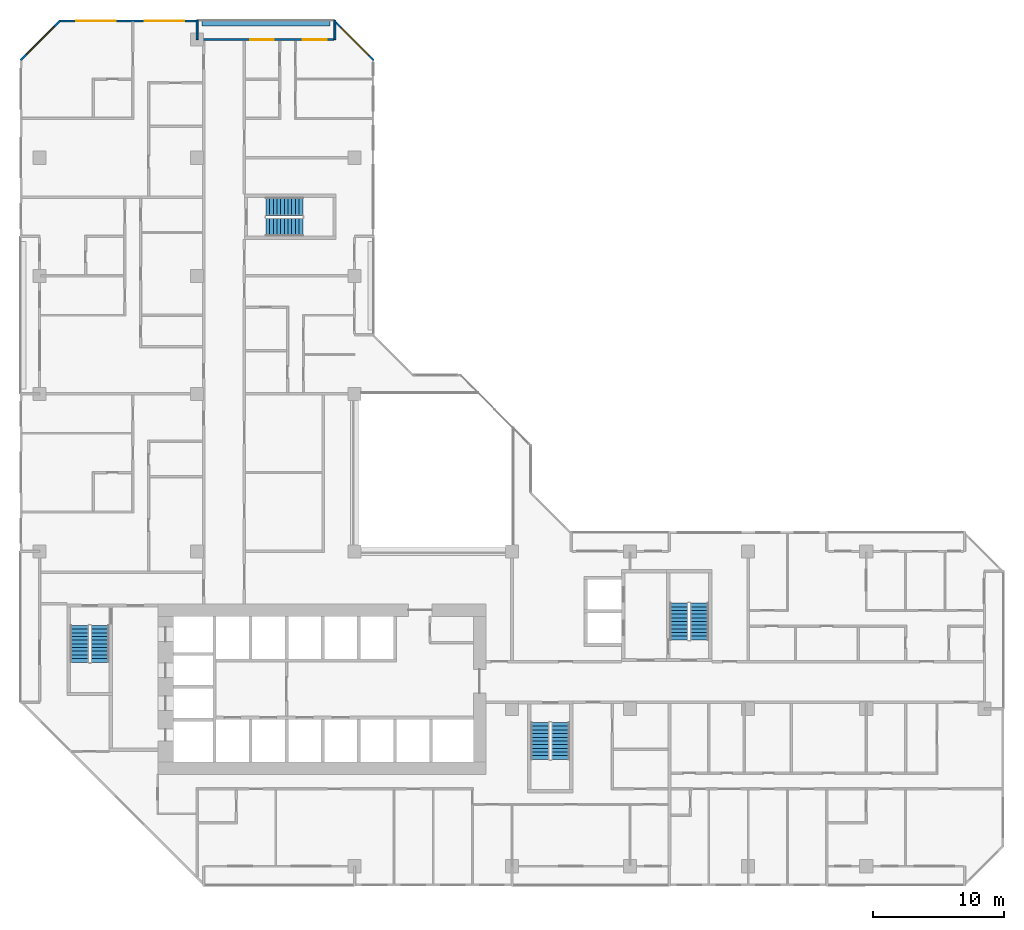
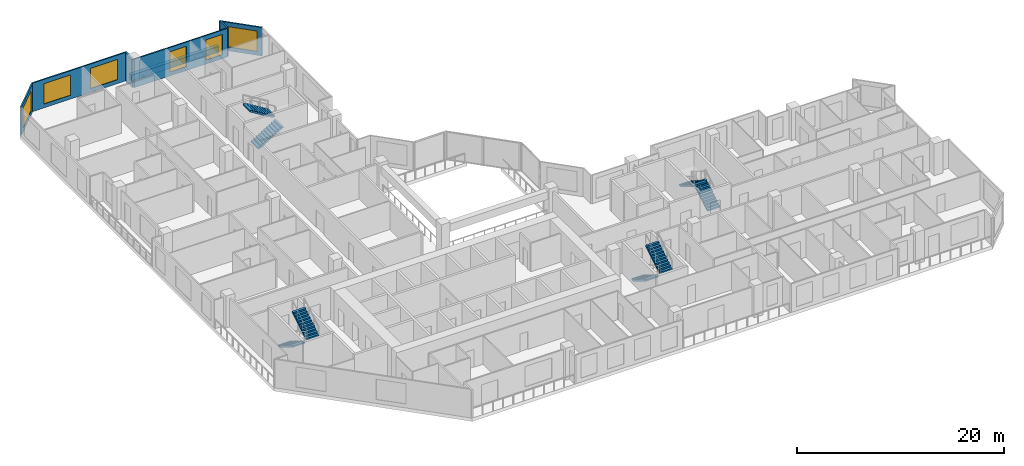
# One storey, part 13 of 15: 8 stair flights, 7 walls, 6 windows, 6 openings, 4 elements without a shape of their own.
"""IFC4 building model written with IfcOpenShell, lengths in metres."""

from ifc_helpers import new_model, si_unit, direction, frame, frame_2d, origin, place, context, subcontext, project, spatial, polyline, rectangle, outline, extrude, material, layer, layer_set, type_object, element, fill, aggregate, save


model = new_model("IFC4")

# Units and contexts
model_context = context("Model", 3, precision=1e-05, world=origin(), true_north=direction((0.0, 1.0)))
body_context = subcontext(model_context, "Body", "Model", "MODEL_VIEW")
ifc_project = project(units=[si_unit("LENGTHUNIT", "METRE"), si_unit("AREAUNIT", "SQUARE_METRE"), si_unit("VOLUMEUNIT", "CUBIC_METRE"), si_unit("PLANEANGLEUNIT", "RADIAN"), si_unit("MASSUNIT", "GRAM", prefix="KILO")], contexts=[model_context])

# Site, building, storey
site_placement = place(None, origin())
site = spatial("IfcSite", under=ifc_project, at=site_placement, CompositionType="ELEMENT")
building_placement = place(site_placement, origin())
building = spatial("IfcBuilding", under=site, at=building_placement, Name="Chenar Terraces", CompositionType="ELEMENT")
storey_placement = place(building_placement, frame((0.0, 0.0, 133.14990234375)))
storey = spatial("IfcBuildingStorey", under=building, at=storey_placement, Name="L31", CompositionType="ELEMENT", Elevation=133.14990234375)

# Wall, openings, windows
ifc_material_1 = material(Name="Aluminium framed glazing", Category="aluminium")
ifc_layer_1 = layer(ifc_material_1, 0.14990234375)
ifc_layer_set_1 = layer_set([ifc_layer_1], Name="Aluminium framed glazing")
wall_type_1 = type_object("IfcWallType", Name="Glazed flush facade wall 150", PredefinedType="SOLIDWALL", material=ifc_layer_set_1)
wall_1_placement = place(storey_placement, frame((11.925048828125, 64.425048828125, 0.0), z_axis=(0.0, 0.0, 1.0), x_axis=(-1.0, 0.0, 0.0)))
wall_1 = element("IfcWall", 1, at=wall_1_placement, inside=storey, type_object=wall_type_1, Name="Glazed flush facade wall", PredefinedType="SOLIDWALL", context=body_context, shape_type="SweptSolid", body=[
    extrude(rectangle(XDim=10.425048828125, YDim=0.14990234375, at=frame_2d((5.21240234375, 0.0))), origin(), (0.0, 0.0, 1.0), 3.35009765625),
])
opening_1_placement = place(wall_1_placement, frame((0.91259765625, 0.0, 0.449951171875)))
opening_1 = element("IfcOpeningElement", 2, at=opening_1_placement, cuts=wall_1, Name="Opening W300x240", PredefinedType="OPENING", context=body_context, shape_type="SweptSolid", body=[
    extrude(rectangle(XDim=3.0, YDim=2.39990234375, at=frame_2d((1.5, 1.199951171875))), frame((0.0, 0.0849609375, 0.0), z_axis=(0.0, -1.0, 0.0), x_axis=(1.0, 0.0, 0.0)), (0.0, 0.0, 1.0), 0.169921875),
])
opening_2_placement = place(wall_1_placement, frame((6.125, 0.0, 0.449951171875)))
opening_2 = element("IfcOpeningElement", 3, at=opening_2_placement, cuts=wall_1, Name="Opening W300x240", PredefinedType="OPENING", context=body_context, shape_type="SweptSolid", body=[
    extrude(rectangle(XDim=3.0, YDim=2.39990234375, at=frame_2d((1.5, 1.199951171875))), frame((0.0, 0.0849609375, 0.0), z_axis=(0.0, -1.0, 0.0), x_axis=(1.0, 0.0, 0.0)), (0.0, 0.0, 1.0), 0.169921875),
])
ifc_material_2 = material(Name="Low emissivity double glazing, aluminium frame", Category="aluminium")
window_type_1 = type_object("IfcWindowType", Name="Fixed light 3000 x 2400", PartitioningType="SINGLE_PANEL", PredefinedType="WINDOW", material=ifc_material_2)
window_1_placement = place(opening_1_placement, origin())
window_1 = element("IfcWindow", 4, at=window_1_placement, inside=storey, type_object=window_type_1, Name="Window", OverallHeight=2.39990234375, OverallWidth=3.0, PartitioningType="SINGLE_PANEL", PredefinedType="WINDOW", context=body_context, shape_type="SweptSolid", body=[
    extrude(rectangle(XDim=3.0, YDim=2.39990234375, at=frame_2d((1.5, 1.199951171875))), frame((0.0, 0.030029296875, 0.0), z_axis=(0.0, -1.0, 0.0), x_axis=(1.0, 0.0, 0.0)), (0.0, 0.0, 1.0), 0.06005859375),
])
fill(opening_1, window_1)
window_2_placement = place(opening_2_placement, origin())
window_2 = element("IfcWindow", 5, at=window_2_placement, inside=storey, type_object=window_type_1, Name="Window", OverallHeight=2.39990234375, OverallWidth=3.0, PartitioningType="SINGLE_PANEL", PredefinedType="WINDOW", context=body_context, shape_type="SweptSolid", body=[
    extrude(rectangle(XDim=3.0, YDim=2.39990234375, at=frame_2d((1.5, 1.199951171875))), frame((0.0, 0.030029296875, 0.0), z_axis=(0.0, -1.0, 0.0), x_axis=(1.0, 0.0, 0.0)), (0.0, 0.0, 1.0), 0.06005859375),
])
fill(opening_2, window_2)

ifc_material_3 = material(Name="Aluminium framed glazing", Category="aluminium")
ifc_layer_2 = layer(ifc_material_3, 0.14990234375)
ifc_layer_set_2 = layer_set([ifc_layer_2], Name="Aluminium framed glazing")
wall_type_2 = type_object("IfcWallType", Name="Glazed loggia back wall 150", PredefinedType="SOLIDWALL", material=ifc_layer_set_2)
wall_2_placement = place(storey_placement, frame((22.425048828125, 63.0, 0.0), z_axis=(0.0, 0.0, 1.0), x_axis=(-1.0, 0.0, 0.0)))
wall_2 = element("IfcWall", 6, at=wall_2_placement, inside=storey, type_object=wall_type_2, Name="Glazed loggia back wall", PredefinedType="SOLIDWALL", context=body_context, shape_type="SweptSolid", body=[
    extrude(rectangle(XDim=10.35009765625, YDim=0.14990234375, at=frame_2d((5.175048828125, 0.0))), origin(), (0.0, 0.0, 1.0), 3.35009765625),
])
opening_3_placement = place(wall_2_placement, frame((0.5625, 0.0, 0.449951171875)))
opening_3 = element("IfcOpeningElement", 7, at=opening_3_placement, cuts=wall_2, Name="Opening W180x240", PredefinedType="OPENING", context=body_context, shape_type="SweptSolid", body=[
    extrude(rectangle(XDim=1.800048828125, YDim=2.39990234375, at=frame_2d((0.89990234375, 1.199951171875))), frame((0.0, 0.0849609375, 0.0), z_axis=(0.0, -1.0, 0.0), x_axis=(1.0, 0.0, 0.0)), (0.0, 0.0, 1.0), 0.169921875),
])
opening_4_placement = place(wall_2_placement, frame((4.574951171875, 0.0, 0.449951171875)))
opening_4 = element("IfcOpeningElement", 8, at=opening_4_placement, cuts=wall_2, Name="Opening W180x240", PredefinedType="OPENING", context=body_context, shape_type="SweptSolid", body=[
    extrude(rectangle(XDim=1.800048828125, YDim=2.39990234375, at=frame_2d((0.89990234375, 1.199951171875))), frame((0.0, 0.0849609375, 0.0), z_axis=(0.0, -1.0, 0.0), x_axis=(1.0, 0.0, 0.0)), (0.0, 0.0, 1.0), 0.169921875),
])
ifc_material_4 = material(Name="Low emissivity double glazing, aluminium frame", Category="aluminium")
window_type_2 = type_object("IfcWindowType", Name="Fixed light 1800 x 2400", PartitioningType="SINGLE_PANEL", PredefinedType="WINDOW", material=ifc_material_4)
window_3_placement = place(opening_3_placement, origin())
window_3 = element("IfcWindow", 9, at=window_3_placement, inside=storey, type_object=window_type_2, Name="Window", OverallHeight=2.39990234375, OverallWidth=1.800048828125, PartitioningType="SINGLE_PANEL", PredefinedType="WINDOW", context=body_context, shape_type="SweptSolid", body=[
    extrude(rectangle(XDim=1.800048828125, YDim=2.39990234375, at=frame_2d((0.89990234375, 1.199951171875))), frame((0.0, 0.030029296875, 0.0), z_axis=(0.0, -1.0, 0.0), x_axis=(1.0, 0.0, 0.0)), (0.0, 0.0, 1.0), 0.06005859375),
])
fill(opening_3, window_3)
window_4_placement = place(opening_4_placement, origin())
window_4 = element("IfcWindow", 10, at=window_4_placement, inside=storey, type_object=window_type_2, Name="Window", OverallHeight=2.39990234375, OverallWidth=1.800048828125, PartitioningType="SINGLE_PANEL", PredefinedType="WINDOW", context=body_context, shape_type="SweptSolid", body=[
    extrude(rectangle(XDim=1.800048828125, YDim=2.39990234375, at=frame_2d((0.89990234375, 1.199951171875))), frame((0.0, 0.030029296875, 0.0), z_axis=(0.0, -1.0, 0.0), x_axis=(1.0, 0.0, 0.0)), (0.0, 0.0, 1.0), 0.06005859375),
])
fill(opening_4, window_4)

# Walls
ifc_material_5 = material(Name="Terracotta cladding on insulated backing", Category="masonry")
ifc_layer_3 = layer(ifc_material_5, 0.14990234375)
ifc_layer_set_3 = layer_set([ifc_layer_3], Name="Terracotta cladding on insulated backing")
wall_type_3 = type_object("IfcWallType", Name="Loggia return wall 150", PredefinedType="SOLIDWALL", material=ifc_layer_set_3)
for number, where, z_axis, x_axis, name in (
    (11, (22.5, 64.5, 0.0), (0.0, 0.0, 1.0), (0.0, -1.0, 0.0), "Loggia return wall"),
    (12, (12.0, 64.5, 0.0), (0.0, 0.0, 1.0), (0.0, -1.0, 0.0), "Loggia return wall"),
):
    element("IfcWall", number, at=place(storey_placement, frame(where, z_axis=z_axis, x_axis=x_axis)), inside=storey, type_object=wall_type_3, Name=name, PredefinedType="SOLIDWALL", context=body_context, shape_type="SweptSolid", body=[
        extrude(rectangle(XDim=1.5, YDim=0.14990234375, at=frame_2d((0.75, 0.0))), origin(), (0.0, 0.0, 1.0), 3.35009765625),
    ])

# Wall, opening, window
ifc_material_6 = material(Name="Terracotta cladding on insulated backing", Category="masonry")
ifc_layer_4 = layer(ifc_material_6, 0.14990234375)
ifc_layer_set_4 = layer_set([ifc_layer_4], Name="Terracotta cladding on insulated backing")
wall_type_4 = type_object("IfcWallType", Name="Terracotta rainscreen wall 150", PredefinedType="SOLIDWALL", material=ifc_layer_set_4)
wall_3_placement = place(storey_placement, frame((25.447021484375, 61.447021484375, 0.0), z_axis=(0.0, 0.0, 1.0), x_axis=(-0.707106781187, 0.707106781187, 0.0)))
wall_3 = element("IfcWall", 13, at=wall_3_placement, inside=storey, type_object=wall_type_4, Name="Terracotta rainscreen wall", PredefinedType="SOLIDWALL", context=body_context, shape_type="SweptSolid", body=[
    extrude(rectangle(XDim=4.24267578125, YDim=0.14990234375, at=frame_2d((2.121337890625, 0.0))), origin(), (0.0, 0.0, 1.0), 3.35009765625),
])
opening_5_placement = place(wall_3_placement, frame((0.498046875, 0.0, 0.449951171875)))
opening_5 = element("IfcOpeningElement", 14, at=opening_5_placement, cuts=wall_3, Name="Opening W300x240", PredefinedType="OPENING", context=body_context, shape_type="SweptSolid", body=[
    extrude(rectangle(XDim=3.0, YDim=2.39990234375, at=frame_2d((1.5, 1.199951171875))), frame((0.0, 0.0849609375, 0.0), z_axis=(0.0, -1.0, 0.0), x_axis=(1.0, 0.0, 0.0)), (0.0, 0.0, 1.0), 0.169921875),
])
window_5_placement = place(opening_5_placement, origin())
window_5 = element("IfcWindow", 15, at=window_5_placement, inside=storey, type_object=window_type_1, Name="Window", OverallHeight=2.39990234375, OverallWidth=3.0, PartitioningType="SINGLE_PANEL", PredefinedType="WINDOW", context=body_context, shape_type="SweptSolid", body=[
    extrude(rectangle(XDim=3.0, YDim=2.39990234375, at=frame_2d((1.5, 1.199951171875))), frame((0.0, 0.030029296875, 0.0), z_axis=(0.0, -1.0, 0.0), x_axis=(1.0, 0.0, 0.0)), (0.0, 0.0, 1.0), 0.06005859375),
])
fill(opening_5, window_5)

wall_4_placement = place(storey_placement, frame((1.552978515625, 64.447021484375, 0.0), z_axis=(0.0, 0.0, 1.0), x_axis=(-0.707106781187, -0.707106781187, 0.0)))
wall_4 = element("IfcWall", 16, at=wall_4_placement, inside=storey, type_object=wall_type_4, Name="Terracotta rainscreen wall", PredefinedType="SOLIDWALL", context=body_context, shape_type="SweptSolid", body=[
    extrude(rectangle(XDim=4.24267578125, YDim=0.14990234375, at=frame_2d((2.121337890625, 0.0))), origin(), (0.0, 0.0, 1.0), 3.35009765625),
])
opening_6_placement = place(wall_4_placement, frame((0.621337890625, 0.0, 0.449951171875)))
opening_6 = element("IfcOpeningElement", 17, at=opening_6_placement, cuts=wall_4, Name="Opening W300x240", PredefinedType="OPENING", context=body_context, shape_type="SweptSolid", body=[
    extrude(rectangle(XDim=3.0, YDim=2.39990234375, at=frame_2d((1.5, 1.199951171875))), frame((0.0, 0.0849609375, 0.0), z_axis=(0.0, -1.0, 0.0), x_axis=(1.0, 0.0, 0.0)), (0.0, 0.0, 1.0), 0.169921875),
])
window_6_placement = place(opening_6_placement, origin())
window_6 = element("IfcWindow", 18, at=window_6_placement, inside=storey, type_object=window_type_1, Name="Window", OverallHeight=2.39990234375, OverallWidth=3.0, PartitioningType="SINGLE_PANEL", PredefinedType="WINDOW", context=body_context, shape_type="SweptSolid", body=[
    extrude(rectangle(XDim=3.0, YDim=2.39990234375, at=frame_2d((1.5, 1.199951171875))), frame((0.0, 0.030029296875, 0.0), z_axis=(0.0, -1.0, 0.0), x_axis=(1.0, 0.0, 0.0)), (0.0, 0.0, 1.0), 0.06005859375),
])
fill(opening_6, window_6)

# Wall
ifc_material_7 = material(Name="GRP planter trough")
ifc_layer_5 = layer(ifc_material_7, 0.39990234375)
ifc_layer_set_5 = layer_set([ifc_layer_5], Name="GRP planter trough")
wall_type_5 = type_object("IfcWallType", Name="Vertical greenery planter 400", PredefinedType="SOLIDWALL", material=ifc_layer_set_5)
wall_5_placement = place(storey_placement, frame((22.125, 64.22900390625, 0.0), z_axis=(0.0, 0.0, 1.0), x_axis=(-1.0, 0.0, 0.0)))
element("IfcWall", 19, at=wall_5_placement, inside=storey, type_object=wall_type_5, Name="Vertical greenery planter", PredefinedType="SOLIDWALL", context=body_context, shape_type="SweptSolid", body=[
    extrude(rectangle(XDim=9.75, YDim=0.39990234375, at=frame_2d((4.875, 0.0))), origin(), (0.0, 0.0, 1.0), 0.7001953125),
])

# Stair, stair flights
ifc_material_8 = material(Name="Reinforced concrete C40/50", Category="concrete")
stair_type = type_object("IfcStairType", Name="Core stair 1400 half-turn", PredefinedType="HALF_TURN_STAIR", material=ifc_material_8)
placement = place(storey_placement, origin())
stair_1 = element("IfcStair", 20, at=placement, inside=storey, type_object=stair_type, Name="L31 Stair 1", PredefinedType="HALF_TURN_STAIR")
ifc_material_9 = material(Name="Reinforced concrete C40/50", Category="concrete")
stair_flight_type = type_object("IfcStairFlightType", Name="Core stair flight 1400", PredefinedType="STRAIGHT", material=ifc_material_9)
stair_flight_1_placement = place(storey_placement, frame((3.050048828125, 18.35009765625, 0.0), z_axis=(0.0, 0.0, 1.0), x_axis=(0.0, -1.0, 0.0)))
stair_flight_1 = element("IfcStairFlight", 21, at=stair_flight_1_placement, type_object=stair_flight_type, Name="ST1 flight 1", NumberOfRisers=11, NumberOfTreads=10, PredefinedType="STRAIGHT", RiserHeight=0.170454545, TreadLength=0.28, context=body_context, shape_type="SweptSolid", body=[
    extrude(outline(polyline([(-0.0029296875, 0.0), (-0.0029296875, 0.17041015625), (0.0, 0.17041015625), (0.280029296875, 0.17041015625), (0.280029296875, 0.3408203125), (0.56005859375, 0.3408203125), (0.56005859375, 0.511474609375), (0.840087890625, 0.511474609375), (0.840087890625, 0.681884765625), (1.1201171875, 0.681884765625), (1.1201171875, 0.852294921875), (1.39990234375, 0.852294921875), (1.39990234375, 1.022705078125), (1.679931640625, 1.022705078125), (1.679931640625, 1.193115234375), (1.9599609375, 1.193115234375), (1.9599609375, 1.363525390625), (2.239990234375, 1.363525390625), (2.239990234375, 1.5341796875), (2.52001953125, 1.5341796875), (2.52001953125, 1.70458984375), (2.800048828125, 1.70458984375), (2.802978515625, 1.70458984375), (2.802978515625, 1.529052734375), (2.800048828125, 1.529052734375), (0.288330078125, 0.0), (-0.0029296875, 0.0)])), frame((0.0, 0.699951171875, 0.0), z_axis=(0.0, -1.0, 0.0), x_axis=(1.0, 0.0, 0.0)), (0.0, 0.0, 1.0), 1.39990234375),
])
stair_flight_2_placement = place(storey_placement, frame((4.60009765625, 15.550048828125, 1.875), z_axis=(0.0, 0.0, 1.0), x_axis=(0.0, 1.0, 0.0)))
stair_flight_2 = element("IfcStairFlight", 22, at=stair_flight_2_placement, type_object=stair_flight_type, Name="ST1 flight 2", NumberOfRisers=11, NumberOfTreads=10, PredefinedType="STRAIGHT", RiserHeight=0.170454545, TreadLength=0.28, context=body_context, shape_type="SweptSolid", body=[
    extrude(outline(polyline([(-0.0029296875, 0.0), (-0.0029296875, 0.17041015625), (0.0, 0.17041015625), (0.280029296875, 0.17041015625), (0.280029296875, 0.3408203125), (0.56005859375, 0.3408203125), (0.56005859375, 0.511474609375), (0.840087890625, 0.511474609375), (0.840087890625, 0.681884765625), (1.1201171875, 0.681884765625), (1.1201171875, 0.852294921875), (1.39990234375, 0.852294921875), (1.39990234375, 1.022705078125), (1.679931640625, 1.022705078125), (1.679931640625, 1.193115234375), (1.9599609375, 1.193115234375), (1.9599609375, 1.363525390625), (2.239990234375, 1.363525390625), (2.239990234375, 1.5341796875), (2.52001953125, 1.5341796875), (2.52001953125, 1.70458984375), (2.800048828125, 1.70458984375), (2.802978515625, 1.70458984375), (2.802978515625, 1.529052734375), (2.800048828125, 1.529052734375), (0.288330078125, 0.0), (-0.0029296875, 0.0)])), frame((0.0, 0.699951171875, 0.0), z_axis=(0.0, -1.0, 0.0), x_axis=(1.0, 0.0, 0.0)), (0.0, 0.0, 1.0), 1.39990234375),
])
aggregate(stair_1, [stair_flight_1, stair_flight_2])

stair_2 = element("IfcStair", 23, at=placement, inside=storey, type_object=stair_type, Name="L31 Stair 2", PredefinedType="HALF_TURN_STAIR")
stair_flight_3_placement = place(storey_placement, frame((38.14990234375, 10.949951171875, 0.0), z_axis=(0.0, 0.0, 1.0), x_axis=(0.0, -1.0, 0.0)))
stair_flight_3 = element("IfcStairFlight", 24, at=stair_flight_3_placement, type_object=stair_flight_type, Name="ST2 flight 1", NumberOfRisers=11, NumberOfTreads=10, PredefinedType="STRAIGHT", RiserHeight=0.170454545, TreadLength=0.28, context=body_context, shape_type="SweptSolid", body=[
    extrude(outline(polyline([(-0.0029296875, 0.0), (-0.0029296875, 0.17041015625), (0.0, 0.17041015625), (0.280029296875, 0.17041015625), (0.280029296875, 0.3408203125), (0.56005859375, 0.3408203125), (0.56005859375, 0.511474609375), (0.840087890625, 0.511474609375), (0.840087890625, 0.681884765625), (1.1201171875, 0.681884765625), (1.1201171875, 0.852294921875), (1.39990234375, 0.852294921875), (1.39990234375, 1.022705078125), (1.679931640625, 1.022705078125), (1.679931640625, 1.193115234375), (1.9599609375, 1.193115234375), (1.9599609375, 1.363525390625), (2.239990234375, 1.363525390625), (2.239990234375, 1.5341796875), (2.52001953125, 1.5341796875), (2.52001953125, 1.70458984375), (2.800048828125, 1.70458984375), (2.802978515625, 1.70458984375), (2.802978515625, 1.529052734375), (2.800048828125, 1.529052734375), (0.288330078125, 0.0), (-0.0029296875, 0.0)])), frame((0.0, 0.699951171875, 0.0), z_axis=(0.0, -1.0, 0.0), x_axis=(1.0, 0.0, 0.0)), (0.0, 0.0, 1.0), 1.39990234375),
])
stair_flight_4_placement = place(storey_placement, frame((39.699951171875, 8.14990234375, 1.875), z_axis=(0.0, 0.0, 1.0), x_axis=(0.0, 1.0, 0.0)))
stair_flight_4 = element("IfcStairFlight", 25, at=stair_flight_4_placement, type_object=stair_flight_type, Name="ST2 flight 2", NumberOfRisers=11, NumberOfTreads=10, PredefinedType="STRAIGHT", RiserHeight=0.170454545, TreadLength=0.28, context=body_context, shape_type="SweptSolid", body=[
    extrude(outline(polyline([(-0.0029296875, 0.0), (-0.0029296875, 0.17041015625), (0.0, 0.17041015625), (0.280029296875, 0.17041015625), (0.280029296875, 0.3408203125), (0.56005859375, 0.3408203125), (0.56005859375, 0.511474609375), (0.840087890625, 0.511474609375), (0.840087890625, 0.681884765625), (1.1201171875, 0.681884765625), (1.1201171875, 0.852294921875), (1.39990234375, 0.852294921875), (1.39990234375, 1.022705078125), (1.679931640625, 1.022705078125), (1.679931640625, 1.193115234375), (1.9599609375, 1.193115234375), (1.9599609375, 1.363525390625), (2.239990234375, 1.363525390625), (2.239990234375, 1.5341796875), (2.52001953125, 1.5341796875), (2.52001953125, 1.70458984375), (2.800048828125, 1.70458984375), (2.802978515625, 1.70458984375), (2.802978515625, 1.529052734375), (2.800048828125, 1.529052734375), (0.288330078125, 0.0), (-0.0029296875, 0.0)])), frame((0.0, 0.699951171875, 0.0), z_axis=(0.0, -1.0, 0.0), x_axis=(1.0, 0.0, 0.0)), (0.0, 0.0, 1.0), 1.39990234375),
])
aggregate(stair_2, [stair_flight_3, stair_flight_4])

stair_3 = element("IfcStair", 26, at=placement, inside=storey, type_object=stair_type, Name="L31 Stair 3", PredefinedType="HALF_TURN_STAIR")
stair_flight_5_placement = place(storey_placement, frame((50.27490234375, 17.25, 0.0), z_axis=(0.0, 0.0, 1.0), x_axis=(0.0, 1.0, 0.0)))
stair_flight_5 = element("IfcStairFlight", 27, at=stair_flight_5_placement, type_object=stair_flight_type, Name="ST3 flight 1", NumberOfRisers=11, NumberOfTreads=10, PredefinedType="STRAIGHT", RiserHeight=0.170454545, TreadLength=0.28, context=body_context, shape_type="SweptSolid", body=[
    extrude(outline(polyline([(-0.0029296875, 0.0), (-0.0029296875, 0.17041015625), (0.0, 0.17041015625), (0.280029296875, 0.17041015625), (0.280029296875, 0.3408203125), (0.56005859375, 0.3408203125), (0.56005859375, 0.511474609375), (0.840087890625, 0.511474609375), (0.840087890625, 0.681884765625), (1.1201171875, 0.681884765625), (1.1201171875, 0.852294921875), (1.39990234375, 0.852294921875), (1.39990234375, 1.022705078125), (1.679931640625, 1.022705078125), (1.679931640625, 1.193115234375), (1.9599609375, 1.193115234375), (1.9599609375, 1.363525390625), (2.239990234375, 1.363525390625), (2.239990234375, 1.5341796875), (2.52001953125, 1.5341796875), (2.52001953125, 1.70458984375), (2.800048828125, 1.70458984375), (2.802978515625, 1.70458984375), (2.802978515625, 1.529052734375), (2.800048828125, 1.529052734375), (0.288330078125, 0.0), (-0.0029296875, 0.0)])), frame((0.0, 0.699951171875, 0.0), z_axis=(0.0, -1.0, 0.0), x_axis=(1.0, 0.0, 0.0)), (0.0, 0.0, 1.0), 1.39990234375),
])
stair_flight_6_placement = place(storey_placement, frame((48.72509765625, 20.050048828125, 1.875), z_axis=(0.0, 0.0, 1.0), x_axis=(0.0, -1.0, 0.0)))
stair_flight_6 = element("IfcStairFlight", 28, at=stair_flight_6_placement, type_object=stair_flight_type, Name="ST3 flight 2", NumberOfRisers=11, NumberOfTreads=10, PredefinedType="STRAIGHT", RiserHeight=0.170454545, TreadLength=0.28, context=body_context, shape_type="SweptSolid", body=[
    extrude(outline(polyline([(-0.0029296875, 0.0), (-0.0029296875, 0.17041015625), (0.0, 0.17041015625), (0.280029296875, 0.17041015625), (0.280029296875, 0.3408203125), (0.56005859375, 0.3408203125), (0.56005859375, 0.511474609375), (0.840087890625, 0.511474609375), (0.840087890625, 0.681884765625), (1.1201171875, 0.681884765625), (1.1201171875, 0.852294921875), (1.39990234375, 0.852294921875), (1.39990234375, 1.022705078125), (1.679931640625, 1.022705078125), (1.679931640625, 1.193115234375), (1.9599609375, 1.193115234375), (1.9599609375, 1.363525390625), (2.239990234375, 1.363525390625), (2.239990234375, 1.5341796875), (2.52001953125, 1.5341796875), (2.52001953125, 1.70458984375), (2.800048828125, 1.70458984375), (2.802978515625, 1.70458984375), (2.802978515625, 1.529052734375), (2.800048828125, 1.529052734375), (0.288330078125, 0.0), (-0.0029296875, 0.0)])), frame((0.0, 0.699951171875, 0.0), z_axis=(0.0, -1.0, 0.0), x_axis=(1.0, 0.0, 0.0)), (0.0, 0.0, 1.0), 1.39990234375),
])
aggregate(stair_3, [stair_flight_5, stair_flight_6])

stair_4 = element("IfcStair", 29, at=placement, inside=storey, type_object=stair_type, Name="L31 Stair 4", PredefinedType="HALF_TURN_STAIR")
stair_flight_7_placement = place(storey_placement, frame((17.25, 48.72509765625, 0.0), z_axis=(0.0, 0.0, 1.0), x_axis=(1.0, 0.0, 0.0)))
stair_flight_7 = element("IfcStairFlight", 30, at=stair_flight_7_placement, type_object=stair_flight_type, Name="ST4 flight 1", NumberOfRisers=11, NumberOfTreads=10, PredefinedType="STRAIGHT", RiserHeight=0.170454545, TreadLength=0.28, context=body_context, shape_type="SweptSolid", body=[
    extrude(outline(polyline([(-0.0029296875, 0.0), (-0.0029296875, 0.17041015625), (0.0, 0.17041015625), (0.280029296875, 0.17041015625), (0.280029296875, 0.3408203125), (0.56005859375, 0.3408203125), (0.56005859375, 0.511474609375), (0.840087890625, 0.511474609375), (0.840087890625, 0.681884765625), (1.1201171875, 0.681884765625), (1.1201171875, 0.852294921875), (1.39990234375, 0.852294921875), (1.39990234375, 1.022705078125), (1.679931640625, 1.022705078125), (1.679931640625, 1.193115234375), (1.9599609375, 1.193115234375), (1.9599609375, 1.363525390625), (2.239990234375, 1.363525390625), (2.239990234375, 1.5341796875), (2.52001953125, 1.5341796875), (2.52001953125, 1.70458984375), (2.800048828125, 1.70458984375), (2.802978515625, 1.70458984375), (2.802978515625, 1.529052734375), (2.800048828125, 1.529052734375), (0.288330078125, 0.0), (-0.0029296875, 0.0)])), frame((0.0, 0.699951171875, 0.0), z_axis=(0.0, -1.0, 0.0), x_axis=(1.0, 0.0, 0.0)), (0.0, 0.0, 1.0), 1.39990234375),
])
stair_flight_8_placement = place(storey_placement, frame((20.050048828125, 50.27490234375, 1.875), z_axis=(0.0, 0.0, 1.0), x_axis=(-1.0, 0.0, 0.0)))
stair_flight_8 = element("IfcStairFlight", 31, at=stair_flight_8_placement, type_object=stair_flight_type, Name="ST4 flight 2", NumberOfRisers=11, NumberOfTreads=10, PredefinedType="STRAIGHT", RiserHeight=0.170454545, TreadLength=0.28, context=body_context, shape_type="SweptSolid", body=[
    extrude(outline(polyline([(-0.0029296875, 0.0), (-0.0029296875, 0.17041015625), (0.0, 0.17041015625), (0.280029296875, 0.17041015625), (0.280029296875, 0.3408203125), (0.56005859375, 0.3408203125), (0.56005859375, 0.511474609375), (0.840087890625, 0.511474609375), (0.840087890625, 0.681884765625), (1.1201171875, 0.681884765625), (1.1201171875, 0.852294921875), (1.39990234375, 0.852294921875), (1.39990234375, 1.022705078125), (1.679931640625, 1.022705078125), (1.679931640625, 1.193115234375), (1.9599609375, 1.193115234375), (1.9599609375, 1.363525390625), (2.239990234375, 1.363525390625), (2.239990234375, 1.5341796875), (2.52001953125, 1.5341796875), (2.52001953125, 1.70458984375), (2.800048828125, 1.70458984375), (2.802978515625, 1.70458984375), (2.802978515625, 1.529052734375), (2.800048828125, 1.529052734375), (0.288330078125, 0.0), (-0.0029296875, 0.0)])), frame((0.0, 0.699951171875, 0.0), z_axis=(0.0, -1.0, 0.0), x_axis=(1.0, 0.0, 0.0)), (0.0, 0.0, 1.0), 1.39990234375),
])
aggregate(stair_4, [stair_flight_7, stair_flight_8])

save(model, "model.ifc")
